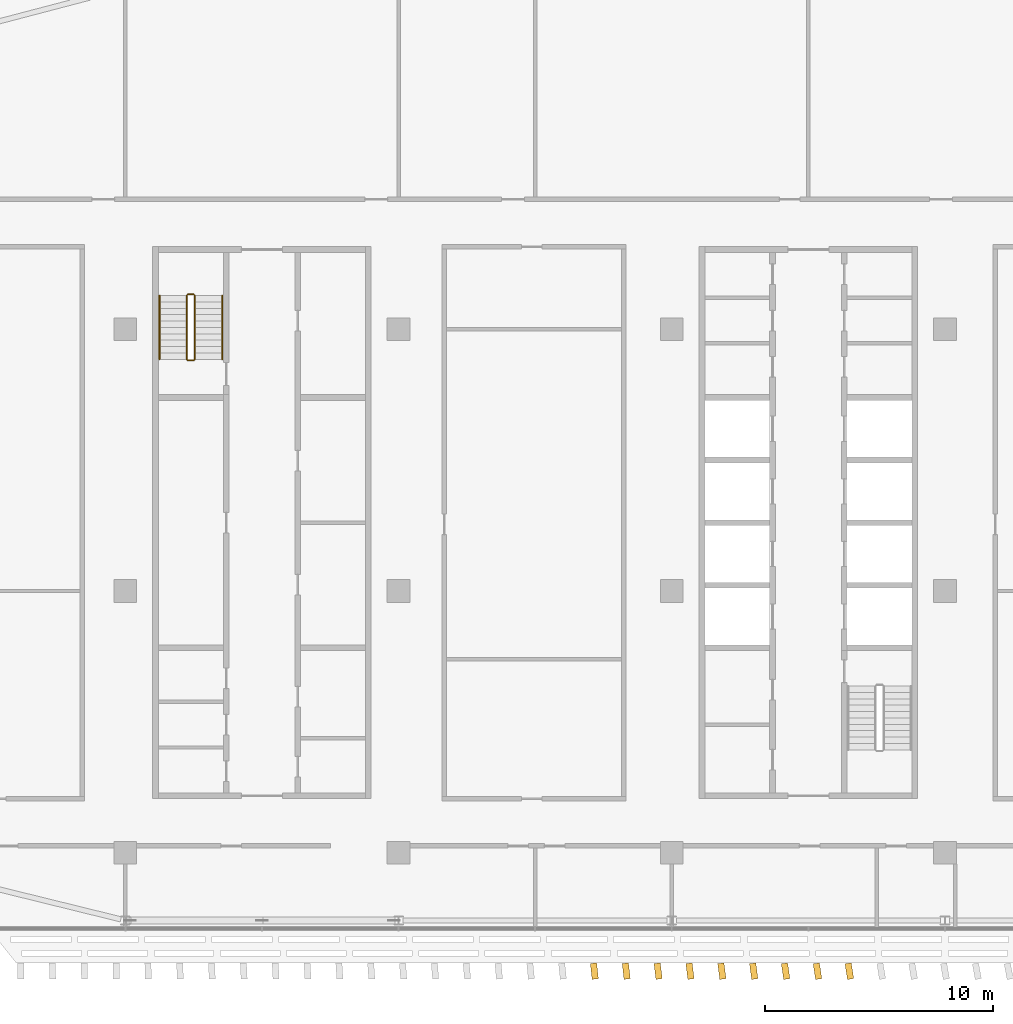
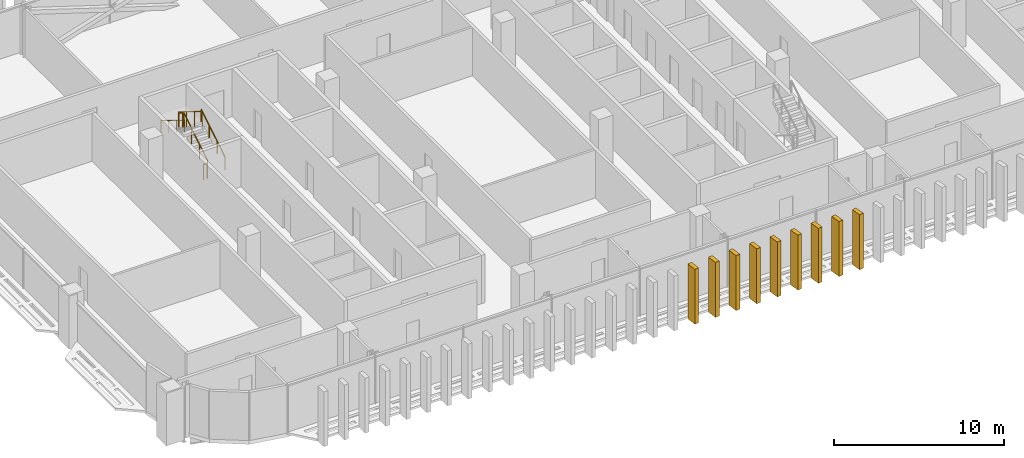
# One storey, part 28 of 35: 9 coverings, 6 railings.
"""IFC4 building model written with IfcOpenShell, lengths in metres."""

from ifc_helpers import new_model, si_unit, direction, frame, origin, origin_2d, place, context, subcontext, project, spatial, rectangle, circle, extrude, material, layer, layer_set, type_object, element, save


model = new_model("IFC4")

# Units and contexts
model_context = context("Model", 3, precision=1e-05, world=origin(), true_north=direction((0.0, 1.0)))
body_context = subcontext(model_context, "Body", "Model", "MODEL_VIEW")
ifc_project = project(units=[si_unit("LENGTHUNIT", "METRE"), si_unit("AREAUNIT", "SQUARE_METRE"), si_unit("VOLUMEUNIT", "CUBIC_METRE"), si_unit("PLANEANGLEUNIT", "RADIAN"), si_unit("MASSUNIT", "GRAM", prefix="KILO")], contexts=[model_context])

# Site, building, storey
site_placement = place(None, origin())
site = spatial("IfcSite", under=ifc_project, at=site_placement, CompositionType="ELEMENT")
building_placement = place(site_placement, origin())
building = spatial("IfcBuilding", under=site, at=building_placement, Name="Mahtab Terrace Research Tower", CompositionType="ELEMENT")
storey_placement = place(building_placement, frame((0.0, 0.0, 251.39990234375)))
storey = spatial("IfcBuildingStorey", under=building, at=storey_placement, Name="L61", CompositionType="ELEMENT", Elevation=251.39990234375)

# Railings
ifc_material_1 = material(Name="Stainless steel AISI 304", Category="steel")
railing_type_1 = type_object("IfcRailingType", Name="Stair guard 1100", PredefinedType="GUARDRAIL", material=ifc_material_1)
railing_1_placement = place(storey_placement, frame((-26.949951171875, 10.175048828125, 0.1728515625)))
element("IfcRailing", 1, at=railing_1_placement, inside=storey, type_object=railing_type_1, Name="L61 ST1 stair guard 1", PredefinedType="GUARDRAIL", context=body_context, shape_type="SweptSolid", body=[
    extrude(circle(Radius=0.02392578125, at=origin_2d()), frame((0.0, 0.0, 1.076171875), z_axis=(0.0, 0.851089632645, 0.525020415988), x_axis=(-1.0, 0.0, 0.0)), (0.0, 0.0, 1.0), 3.2900390625),
    extrude(circle(Radius=0.02099609375, at=origin_2d()), origin(), (0.0, 0.0, 1.0), 1.052001953125),
    extrude(circle(Radius=0.02099609375, at=origin_2d()), frame((0.0, 0.933349609375, 0.57568359375)), (0.0, 0.0, 1.0), 1.052001953125),
    extrude(circle(Radius=0.02099609375, at=origin_2d()), frame((0.0, 1.86669921875, 1.151611328125)), (0.0, 0.0, 1.0), 1.052001953125),
    extrude(circle(Radius=0.02099609375, at=origin_2d()), frame((0.0, 2.800048828125, 1.727294921875)), (0.0, 0.0, 1.0), 1.052001953125),
])
railing_2_placement = place(storey_placement, frame((-27.0, 13.02490234375, 1.900146484375)))
element("IfcRailing", 2, at=railing_2_placement, inside=storey, type_object=railing_type_1, Name="L61 ST1 stair guard 2", PredefinedType="GUARDRAIL", context=body_context, shape_type="SweptSolid", body=[
    extrude(circle(Radius=0.02392578125, at=origin_2d()), frame((0.0, 0.0, 1.076171875), z_axis=(-1.0, 0.0, 0.0), x_axis=(0.0, -1.0, 0.0)), (0.0, 0.0, 1.0), 0.25),
    extrude(circle(Radius=0.02099609375, at=origin_2d()), origin(), (0.0, 0.0, 1.0), 1.052001953125),
    extrude(circle(Radius=0.02099609375, at=origin_2d()), frame((-0.25, 0.0, 0.0)), (0.0, 0.0, 1.0), 1.052001953125),
])
railing_3_placement = place(storey_placement, frame((-27.300048828125, 12.97509765625, 2.07275390625)))
element("IfcRailing", 3, at=railing_3_placement, inside=storey, type_object=railing_type_1, Name="L61 ST1 stair guard 3", PredefinedType="GUARDRAIL", context=body_context, shape_type="SweptSolid", body=[
    extrude(circle(Radius=0.02392578125, at=origin_2d()), frame((0.0, 0.0, 1.076171875), z_axis=(0.0, -0.851089632645, 0.525020415988), x_axis=(1.0, 0.0, 0.0)), (0.0, 0.0, 1.0), 3.2900390625),
    extrude(circle(Radius=0.02099609375, at=origin_2d()), origin(), (0.0, 0.0, 1.0), 1.052001953125),
    extrude(circle(Radius=0.02099609375, at=origin_2d()), frame((0.0, -0.933349609375, 0.57568359375)), (0.0, 0.0, 1.0), 1.052001953125),
    extrude(circle(Radius=0.02099609375, at=origin_2d()), frame((0.0, -1.86669921875, 1.151611328125)), (0.0, 0.0, 1.0), 1.052001953125),
    extrude(circle(Radius=0.02099609375, at=origin_2d()), frame((0.0, -2.800048828125, 1.727294921875)), (0.0, 0.0, 1.0), 1.052001953125),
])
railing_4_placement = place(storey_placement, frame((-27.0, 10.125, 0.0)))
element("IfcRailing", 4, at=railing_4_placement, inside=storey, type_object=railing_type_1, Name="L61 ST1 stair guard 4", PredefinedType="GUARDRAIL", context=body_context, shape_type="SweptSolid", body=[
    extrude(circle(Radius=0.02392578125, at=origin_2d()), frame((0.0, 0.0, 1.076171875), z_axis=(-1.0, 0.0, 0.0), x_axis=(0.0, -1.0, 0.0)), (0.0, 0.0, 1.0), 0.25),
    extrude(circle(Radius=0.02099609375, at=origin_2d()), origin(), (0.0, 0.0, 1.0), 1.052001953125),
    extrude(circle(Radius=0.02099609375, at=origin_2d()), frame((-0.25, 0.0, 0.0)), (0.0, 0.0, 1.0), 1.052001953125),
])
railing_type_2 = type_object("IfcRailingType", Name="Stair handrail 900", PredefinedType="HANDRAIL", material=ifc_material_1)
railing_5_placement = place(storey_placement, frame((-25.75, 10.175048828125, 0.1728515625)))
element("IfcRailing", 5, at=railing_5_placement, inside=storey, type_object=railing_type_2, Name="L61 ST1 stair handrail 1", PredefinedType="HANDRAIL", context=body_context, shape_type="SweptSolid", body=[
    extrude(circle(Radius=0.02392578125, at=origin_2d()), frame((0.0, 0.0, 0.8759765625), z_axis=(0.0, 0.851089632645, 0.525020415988), x_axis=(-1.0, 0.0, 0.0)), (0.0, 0.0, 1.0), 3.2900390625),
    extrude(circle(Radius=0.02099609375, at=origin_2d()), origin(), (0.0, 0.0, 1.0), 0.851806640625),
    extrude(circle(Radius=0.02099609375, at=origin_2d()), frame((0.0, 0.933349609375, 0.57568359375)), (0.0, 0.0, 1.0), 0.851806640625),
    extrude(circle(Radius=0.02099609375, at=origin_2d()), frame((0.0, 1.86669921875, 1.151611328125)), (0.0, 0.0, 1.0), 0.851806640625),
    extrude(circle(Radius=0.02099609375, at=origin_2d()), frame((0.0, 2.800048828125, 1.727294921875)), (0.0, 0.0, 1.0), 0.851806640625),
])
railing_6_placement = place(storey_placement, frame((-28.5, 12.97509765625, 2.07275390625)))
element("IfcRailing", 6, at=railing_6_placement, inside=storey, type_object=railing_type_2, Name="L61 ST1 stair handrail 2", PredefinedType="HANDRAIL", context=body_context, shape_type="SweptSolid", body=[
    extrude(circle(Radius=0.02392578125, at=origin_2d()), frame((0.0, 0.0, 0.8759765625), z_axis=(0.0, -0.851089632645, 0.525020415988), x_axis=(1.0, 0.0, 0.0)), (0.0, 0.0, 1.0), 3.2900390625),
    extrude(circle(Radius=0.02099609375, at=origin_2d()), origin(), (0.0, 0.0, 1.0), 0.851806640625),
    extrude(circle(Radius=0.02099609375, at=origin_2d()), frame((0.0, -0.933349609375, 0.57568359375)), (0.0, 0.0, 1.0), 0.851806640625),
    extrude(circle(Radius=0.02099609375, at=origin_2d()), frame((0.0, -1.86669921875, 1.151611328125)), (0.0, 0.0, 1.0), 0.851806640625),
    extrude(circle(Radius=0.02099609375, at=origin_2d()), frame((0.0, -2.800048828125, 1.727294921875)), (0.0, 0.0, 1.0), 0.851806640625),
])

# Coverings
ifc_material_2 = material(Name="Bronze anodised aluminium", Category="aluminium")
ifc_layer = layer(ifc_material_2, 0.1201171875)
ifc_layer_set = layer_set([ifc_layer], Name="Vertical fin 700")
covering_type = type_object("IfcCoveringType", Name="Vertical fin 700", PredefinedType="CLADDING", material=ifc_layer_set)
for number, where, z_axis, x_axis, name in (
    (7, (-9.39990234375, -16.697265625, -0.14990234375), (0.0, 0.0, 1.0), (0.993896946415, 0.110312555526, 0.0), "Fin L61 S19"),
    (8, (-8.0, -16.697998046875, -0.14990234375), (0.0, 0.0, 1.0), (0.993238357741, 0.116092914131, 0.0), "Fin L61 S20"),
    (9, (-6.60009765625, -16.698486328125, -0.14990234375), (0.0, 0.0, 1.0), (0.992546151641, 0.121869343405, 0.0), "Fin L61 S21"),
    (10, (-5.199951171875, -16.698974609375, -0.14990234375), (0.0, 0.0, 1.0), (0.991820351542, 0.127641647855, 0.0), "Fin L61 S22"),
    (11, (-3.800048828125, -16.699462890625, -0.14990234375), (0.0, 0.0, 1.0), (0.991060982007, 0.133409632126, 0.0), "Fin L61 S23"),
    (12, (-2.39990234375, -16.7001953125, -0.14990234375), (0.0, 0.0, 1.0), (0.990268068742, 0.13917310096, 0.0), "Fin L61 S24"),
    (13, (-1.0, -16.70068359375, -0.14990234375), (0.0, 0.0, 1.0), (0.989441638582, 0.144931859301, 0.0), "Fin L61 S25"),
    (14, (0.39990234375, -16.701171875, -0.14990234375), (0.0, 0.0, 1.0), (0.988581719496, 0.150685712255, 0.0), "Fin L61 S26"),
    (15, (1.800048828125, -16.70166015625, -0.14990234375), (0.0, 0.0, 1.0), (0.987688340595, 0.15643446504, 0.0), "Fin L61 S27"),
):
    element("IfcCovering", number, at=place(storey_placement, frame(where, z_axis=z_axis, x_axis=x_axis)), inside=storey, type_object=covering_type, Name=name, PredefinedType="CLADDING", context=body_context, shape_type="SweptSolid", body=[
        extrude(rectangle(XDim=0.280029296875, YDim=0.699951171875, at=origin_2d()), origin(), (0.0, 0.0, 1.0), 3.949951171875),
    ])

save(model, "model.ifc")
